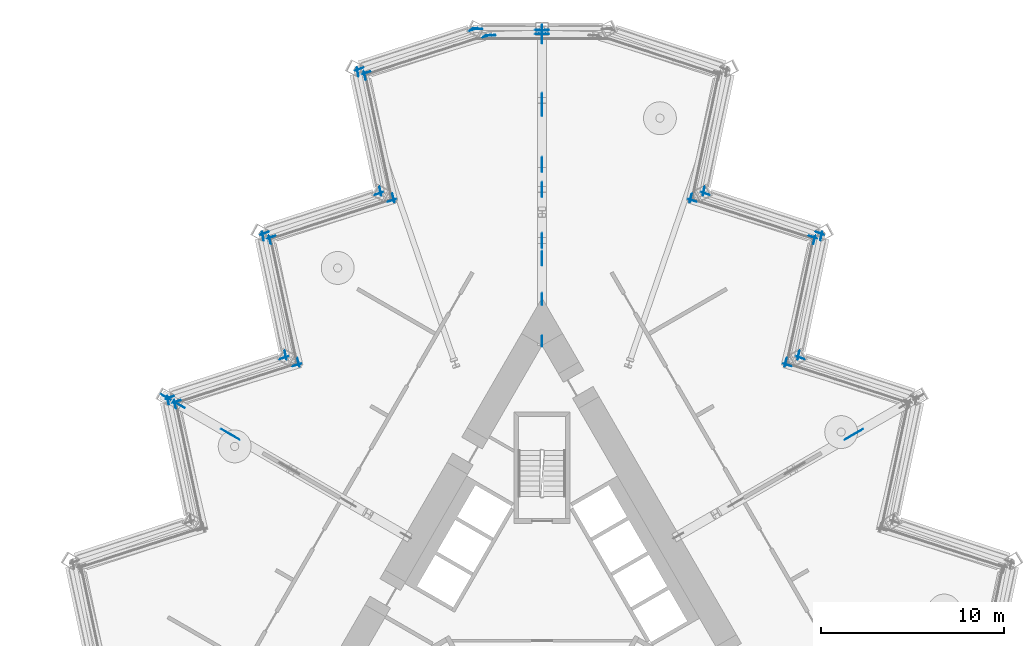
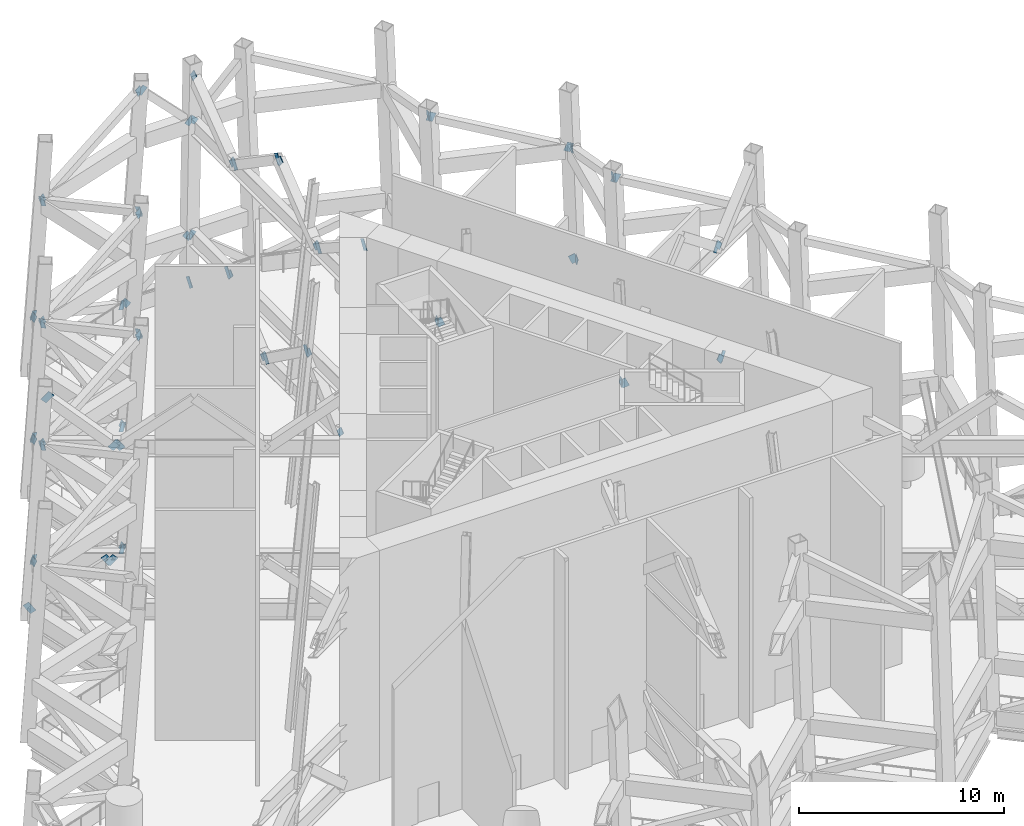
# One storey, part 14 of 19: 66 discrete accessories.
"""IFC4 building model written with IfcOpenShell, lengths in metres."""

from ifc_helpers import new_model, si_unit, direction, frame, origin, origin_2d, place, context, subcontext, project, spatial, rectangle, extrude, material, material_profile, profile_set, type_object, element, save


model = new_model("IFC4")

# Units and contexts
model_context = context("Model", 3, precision=1e-05, world=origin(), true_north=direction((0.0, 1.0)))
body_context = subcontext(model_context, "Body", "Model", "MODEL_VIEW")
ifc_project = project(units=[si_unit("LENGTHUNIT", "METRE"), si_unit("AREAUNIT", "SQUARE_METRE"), si_unit("VOLUMEUNIT", "CUBIC_METRE"), si_unit("PLANEANGLEUNIT", "RADIAN"), si_unit("MASSUNIT", "GRAM", prefix="KILO")], contexts=[model_context])

# Site, building, storey
site_placement = place(None, origin())
site = spatial("IfcSite", under=ifc_project, at=site_placement, CompositionType="ELEMENT")
building_placement = place(site_placement, origin())
building = spatial("IfcBuilding", under=site, at=building_placement, Name="Cormorant Prow Tower", CompositionType="ELEMENT")
storey_placement = place(building_placement, frame((0.0, 0.0, 287.800048828125)))
storey = spatial("IfcBuildingStorey", under=building, at=storey_placement, Name="L64", CompositionType="ELEMENT", Elevation=287.800048828125)

# Discrete accessories
ifc_material_1 = material(Name="Structural steel ASTM A500 Gr C", Category="steel")
ifc_material_profile_1 = material_profile(ifc_material_1, rectangle(XDim=0.031982421875, YDim=0.506103515625, at=origin_2d()), Name="Gusset plate 32x506")
ifc_profile_set_1 = profile_set([ifc_material_profile_1], Name="Structural steel ASTM A500 Gr C")
discrete_accessory_type_1 = type_object("IfcDiscreteAccessoryType", Name="Gusset plate 32x506", PredefinedType="BRACKET", material=ifc_profile_set_1)
discrete_accessory_1_placement = place(storey_placement, frame((14.281494140625, 13.99658203125, 0.5703125), z_axis=(-0.865212819558, 0.300731230024, -0.401207557456), x_axis=(-0.328313801581, -0.944568709884, 0.0)))
element("IfcDiscreteAccessory", 1, at=discrete_accessory_1_placement, inside=storey, type_object=discrete_accessory_type_1, Name="Gusset plate GP2 L64.ENE05.g0", PredefinedType="BRACKET", context=body_context, shape_type="SweptSolid", body=[
    extrude(rectangle(XDim=0.031982421875, YDim=0.506103515625, at=origin_2d()), origin(), (0.0, 0.0, 1.0), 0.349853515625),
])
for number, where, z_axis, x_axis, name in (
    (2, (13.578125, 13.60888671875, 13.133544921875), (-0.882048973575, 0.267752415694, 0.387683185224), (-0.290469235688, -0.956884331107, 0.0), "Gusset plate GP2 L64.ENE05.t1.g1"),
    (3, (14.073486328125, 14.35693359375, 0.570068359375), (-0.171534896082, -0.900209556265, -0.400248090857), (0.982325243976, -0.187182037194, 0.0), "Gusset plate GP2 L64.ENE06.g0"),
):
    element("IfcDiscreteAccessory", number, at=place(storey_placement, frame(where, z_axis=z_axis, x_axis=x_axis)), inside=storey, type_object=discrete_accessory_type_1, Name=name, PredefinedType="BRACKET", context=body_context, shape_type="SweptSolid", body=[
        extrude(rectangle(XDim=0.031982421875, YDim=0.506103515625, at=origin_2d()), origin(), (0.0, 0.0, 1.0), 0.35009765625),
    ])
discrete_accessory_2_placement = place(storey_placement, frame((15.256591796875, 20.55615234375, 3.329833984375), z_axis=(0.172319686839, 0.899969214668, 0.400451417999), x_axis=(-0.982158184024, 0.188056644538, 0.0)))
element("IfcDiscreteAccessory", 4, at=discrete_accessory_2_placement, inside=storey, type_object=discrete_accessory_type_1, Name="Gusset plate GP2 L64.ENE06.g1", PredefinedType="BRACKET", context=body_context, shape_type="SweptSolid", body=[
    extrude(rectangle(XDim=0.031982421875, YDim=0.506103515625, at=origin_2d()), origin(), (0.0, 0.0, 1.0), 0.349853515625),
])
for number, where, z_axis, x_axis, name in (
    (5, (14.870361328125, 20.3525390625, 10.366455078125), (0.209858339522, 0.897301272307, -0.388342508683), (-0.973723885404, 0.227731848878, 0.0), "Gusset plate GP2 L64.ENE06.t1.g0"),
    (6, (13.37646484375, 13.95849609375, 13.133544921875), (-0.209915131519, -0.897544100546, 0.387750209715), (0.973723885404, -0.227731848878, 0.0), "Gusset plate GP2 L64.ENE06.t1.g1"),
    (7, (9.093017578125, 22.983642578125, 0.5703125), (-0.865388080473, 0.30054976848, -0.40096546839), (-0.32807773145, -0.944650730231, 0.0), "Gusset plate GP2 L64.ENE07.g0"),
    (8, (15.048583984375, 20.916259765625, 3.32958984375), (0.865388080473, -0.30054976848, 0.40096546839), (0.32807773145, 0.944650730231, 0.0), "Gusset plate GP2 L64.ENE07.g1"),
    (9, (14.668701171875, 20.7021484375, 10.366455078125), (0.881655238327, -0.267844629365, -0.388514214991), (0.290679627319, 0.956820439927, 0.0), "Gusset plate GP2 L64.ENE07.t1.g0"),
    (10, (8.379638671875, 22.613037109375, 13.133544921875), (-0.882048973575, 0.267752415694, 0.387683185224), (-0.290469235688, -0.956884331107, 0.0), "Gusset plate GP2 L64.ENE07.t1.g1"),
):
    element("IfcDiscreteAccessory", number, at=place(storey_placement, frame(where, z_axis=z_axis, x_axis=x_axis)), inside=storey, type_object=discrete_accessory_type_1, Name=name, PredefinedType="BRACKET", context=body_context, shape_type="SweptSolid", body=[
        extrude(rectangle(XDim=0.031982421875, YDim=0.506103515625, at=origin_2d()), origin(), (0.0, 0.0, 1.0), 0.35009765625),
    ])
for number, where, z_axis, x_axis, name in (
    (11, (8.884765625, 23.34375, 0.570068359375), (-0.170965330748, -0.900184802713, -0.400547346323), (0.982438414807, -0.186587140797, 0.0), "Gusset plate GP2 L64.ENE08.g0"),
    (12, (8.177978515625, 22.96240234375, 13.13330078125), (-0.209989699514, -0.897165294269, 0.388585590131), (0.973684604187, -0.227899740171, 0.0), "Gusset plate GP2 L64.ENE08.t1.g1"),
):
    element("IfcDiscreteAccessory", number, at=place(storey_placement, frame(where, z_axis=z_axis, x_axis=x_axis)), inside=storey, type_object=discrete_accessory_type_1, Name=name, PredefinedType="BRACKET", context=body_context, shape_type="SweptSolid", body=[
        extrude(rectangle(XDim=0.031982421875, YDim=0.506103515625, at=origin_2d()), origin(), (0.0, 0.0, 1.0), 0.349853515625),
    ])
for number, where, z_axis, x_axis, name in (
    (13, (0.231689453125, 31.98095703125, 3.25927734375), (-0.772024721567, -0.018132468619, 0.635333804288), (0.023480426121, -0.999724296788, 0.0), "Gusset plate GP2 L64.N00.g1"),
    (14, (0.208984375, 31.7763671875, 10.465087890625), (-0.696776407375, 0.020226742556, -0.717003149931), (-0.029016805597, -0.999578923844, 0.0), "Gusset plate GP2 L64.N00.t1.g0"),
):
    element("IfcDiscreteAccessory", number, at=place(storey_placement, frame(where, z_axis=z_axis, x_axis=x_axis)), inside=storey, type_object=discrete_accessory_type_1, Name=name, PredefinedType="BRACKET", context=body_context, shape_type="SweptSolid", body=[
        extrude(rectangle(XDim=0.031982421875, YDim=0.506103515625, at=origin_2d()), origin(), (0.0, 0.0, 1.0), 0.35009765625),
    ])
discrete_accessory_3_placement = place(storey_placement, frame((-3.413330078125, 32.05517578125, 0.640625), z_axis=(-0.771742758692, 0.018142234834, -0.63567599744), x_axis=(-0.023501644443, -0.999723798211, 0.0)))
element("IfcDiscreteAccessory", 15, at=discrete_accessory_3_placement, inside=storey, type_object=discrete_accessory_type_1, Name="Gusset plate GP2 L64.N01.g0", PredefinedType="BRACKET", context=body_context, shape_type="SweptSolid", body=[
    extrude(rectangle(XDim=0.031982421875, YDim=0.506103515625, at=origin_2d()), origin(), (0.0, 0.0, 1.0), 0.349853515625),
])
for number, where, z_axis, x_axis, name in (
    (16, (-0.231689453125, 31.98095703125, 3.25927734375), (0.772024721567, -0.018132468619, 0.635333804288), (0.023480426121, 0.999724296788, 0.0), "Gusset plate GP2 L64.N01.g1"),
    (17, (-0.208984375, 31.7763671875, 10.465087890625), (0.696776407375, 0.020226742556, -0.717003149931), (-0.029016805597, 0.999578923844, 0.0), "Gusset plate GP2 L64.N01.t1.g0"),
    (18, (-2.70751953125, 31.703369140625, 13.034912109375), (-0.696776407375, -0.020226742556, 0.717003149931), (0.029016805597, -0.999578923844, 0.0), "Gusset plate GP2 L64.N01.t1.g1"),
    (19, (-3.904541015625, 31.970703125, 0.5703125), (0.865569297382, 0.299915227941, -0.401049432711), (-0.327398207747, 0.944886455382, 0.0), "Gusset plate GP2 L64.WNW00.g0"),
    (20, (-9.857666015625, 29.906982421875, 3.32958984375), (-0.865569297382, -0.299915227941, 0.401049432711), (0.327398207747, -0.944886455382, 0.0), "Gusset plate GP2 L64.WNW00.g1"),
    (21, (-9.47265625, 29.702392578125, 10.3662109375), (-0.881729026235, -0.268564616377, -0.387849160274), (0.291372416061, -0.956609698445, 0.0), "Gusset plate GP2 L64.WNW00.t1.g0"),
):
    element("IfcDiscreteAccessory", number, at=place(storey_placement, frame(where, z_axis=z_axis, x_axis=x_axis)), inside=storey, type_object=discrete_accessory_type_1, Name=name, PredefinedType="BRACKET", context=body_context, shape_type="SweptSolid", body=[
        extrude(rectangle(XDim=0.031982421875, YDim=0.506103515625, at=origin_2d()), origin(), (0.0, 0.0, 1.0), 0.35009765625),
    ])
for number, where, z_axis, x_axis, name in (
    (22, (-3.180908203125, 31.616943359375, 13.133544921875), (0.881894043549, 0.267917177787, 0.387921747004), (-0.290679627319, 0.956820439927, 0.0), "Gusset plate GP2 L64.WNW00.t1.g1"),
    (23, (-8.884765625, 23.34375, 0.570068359375), (0.170965330748, -0.900184802713, -0.400547346323), (0.982438414807, 0.186587140797, 0.0), "Gusset plate GP2 L64.WNW01.g0"),
):
    element("IfcDiscreteAccessory", number, at=place(storey_placement, frame(where, z_axis=z_axis, x_axis=x_axis)), inside=storey, type_object=discrete_accessory_type_1, Name=name, PredefinedType="BRACKET", context=body_context, shape_type="SweptSolid", body=[
        extrude(rectangle(XDim=0.031982421875, YDim=0.506103515625, at=origin_2d()), origin(), (0.0, 0.0, 1.0), 0.349853515625),
    ])
discrete_accessory_4_placement = place(storey_placement, frame((-10.06591796875, 29.546875, 3.329833984375), z_axis=(-0.171534896082, 0.900209556265, 0.400248090857), x_axis=(-0.982325243976, -0.187182037194, 0.0)))
element("IfcDiscreteAccessory", 24, at=discrete_accessory_4_placement, inside=storey, type_object=discrete_accessory_type_1, Name="Gusset plate GP2 L64.WNW01.g1", PredefinedType="BRACKET", context=body_context, shape_type="SweptSolid", body=[
    extrude(rectangle(XDim=0.031982421875, YDim=0.506103515625, at=origin_2d()), origin(), (0.0, 0.0, 1.0), 0.35009765625),
])
for number, where, z_axis, x_axis, name in (
    (25, (-9.674072265625, 29.352783203125, 10.366455078125), (-0.209989699514, 0.897165294269, -0.388585590131), (-0.973684604187, -0.227899740171, 0.0), "Gusset plate GP2 L64.WNW01.t1.g0"),
    (26, (-8.177978515625, 22.96240234375, 13.13330078125), (0.209989699514, -0.897165294269, 0.388585590131), (0.973684604187, 0.227899740171, 0.0), "Gusset plate GP2 L64.WNW01.t1.g1"),
):
    element("IfcDiscreteAccessory", number, at=place(storey_placement, frame(where, z_axis=z_axis, x_axis=x_axis)), inside=storey, type_object=discrete_accessory_type_1, Name=name, PredefinedType="BRACKET", context=body_context, shape_type="SweptSolid", body=[
        extrude(rectangle(XDim=0.031982421875, YDim=0.506103515625, at=origin_2d()), origin(), (0.0, 0.0, 1.0), 0.349853515625),
    ])
for number, where, z_axis, x_axis, name in (
    (27, (-9.093017578125, 22.983642578125, 0.5703125), (0.865388080473, 0.30054976848, -0.40096546839), (-0.32807773145, 0.944650730231, 0.0), "Gusset plate GP2 L64.WNW02.g0"),
    (28, (-15.048583984375, 20.916259765625, 3.32958984375), (-0.865388080473, -0.30054976848, 0.40096546839), (0.32807773145, -0.944650730231, 0.0), "Gusset plate GP2 L64.WNW02.g1"),
    (29, (-14.668701171875, 20.7021484375, 10.366455078125), (-0.881655238327, -0.267844629365, -0.388514214991), (0.290679627319, -0.956820439927, 0.0), "Gusset plate GP2 L64.WNW02.t1.g0"),
    (30, (-8.379638671875, 22.613037109375, 13.133544921875), (0.882048973575, 0.267752415694, 0.387683185224), (-0.290469235688, 0.956884331107, 0.0), "Gusset plate GP2 L64.WNW02.t1.g1"),
    (31, (-14.073486328125, 14.35693359375, 0.570068359375), (0.171534896082, -0.900209556265, -0.400248090857), (0.982325243976, 0.187182037194, 0.0), "Gusset plate GP2 L64.WNW03.g0"),
):
    element("IfcDiscreteAccessory", number, at=place(storey_placement, frame(where, z_axis=z_axis, x_axis=x_axis)), inside=storey, type_object=discrete_accessory_type_1, Name=name, PredefinedType="BRACKET", context=body_context, shape_type="SweptSolid", body=[
        extrude(rectangle(XDim=0.031982421875, YDim=0.506103515625, at=origin_2d()), origin(), (0.0, 0.0, 1.0), 0.35009765625),
    ])
discrete_accessory_5_placement = place(storey_placement, frame((-15.256591796875, 20.55615234375, 3.329833984375), z_axis=(-0.172319686839, 0.899969214668, 0.400451417999), x_axis=(-0.982158184024, -0.188056644538, 0.0)))
element("IfcDiscreteAccessory", 32, at=discrete_accessory_5_placement, inside=storey, type_object=discrete_accessory_type_1, Name="Gusset plate GP2 L64.WNW03.g1", PredefinedType="BRACKET", context=body_context, shape_type="SweptSolid", body=[
    extrude(rectangle(XDim=0.031982421875, YDim=0.506103515625, at=origin_2d()), origin(), (0.0, 0.0, 1.0), 0.349853515625),
])
for number, where, z_axis, x_axis, name in (
    (33, (-14.870361328125, 20.3525390625, 10.366455078125), (-0.209858339522, 0.897301272307, -0.388342508683), (-0.973723885404, -0.227731848878, 0.0), "Gusset plate GP2 L64.WNW03.t1.g0"),
    (34, (-13.37646484375, 13.95849609375, 13.133544921875), (0.209915131519, -0.897544100546, 0.387750209715), (0.973723885404, 0.227731848878, 0.0), "Gusset plate GP2 L64.WNW03.t1.g1"),
):
    element("IfcDiscreteAccessory", number, at=place(storey_placement, frame(where, z_axis=z_axis, x_axis=x_axis)), inside=storey, type_object=discrete_accessory_type_1, Name=name, PredefinedType="BRACKET", context=body_context, shape_type="SweptSolid", body=[
        extrude(rectangle(XDim=0.031982421875, YDim=0.506103515625, at=origin_2d()), origin(), (0.0, 0.0, 1.0), 0.35009765625),
    ])
discrete_accessory_6_placement = place(storey_placement, frame((-14.281494140625, 13.99658203125, 0.5703125), z_axis=(0.865212819558, 0.300731230024, -0.401207557456), x_axis=(-0.328313801581, 0.944568709884, 0.0)))
element("IfcDiscreteAccessory", 35, at=discrete_accessory_6_placement, inside=storey, type_object=discrete_accessory_type_1, Name="Gusset plate GP2 L64.WNW04.g0", PredefinedType="BRACKET", context=body_context, shape_type="SweptSolid", body=[
    extrude(rectangle(XDim=0.031982421875, YDim=0.506103515625, at=origin_2d()), origin(), (0.0, 0.0, 1.0), 0.349853515625),
])
discrete_accessory_7_placement = place(storey_placement, frame((-20.239501953125, 11.925537109375, 3.32958984375), z_axis=(-0.865206556787, -0.301183910179, 0.400881361928), x_axis=(0.328756746245, -0.944414634468, 0.0)))
element("IfcDiscreteAccessory", 36, at=discrete_accessory_7_placement, inside=storey, type_object=discrete_accessory_type_1, Name="Gusset plate GP2 L64.WNW04.g1", PredefinedType="BRACKET", context=body_context, shape_type="SweptSolid", body=[
    extrude(rectangle(XDim=0.031982421875, YDim=0.506103515625, at=origin_2d()), origin(), (0.0, 0.0, 1.0), 0.35009765625),
])
discrete_accessory_8_placement = place(storey_placement, frame((-19.864990234375, 11.701904296875, 10.366455078125), z_axis=(-0.881819785023, -0.267196976, -0.388586724887), x_axis=(0.289986381107, -0.957030772114, 0.0)))
element("IfcDiscreteAccessory", 37, at=discrete_accessory_8_placement, inside=storey, type_object=discrete_accessory_type_1, Name="Gusset plate GP2 L64.WNW04.t1.g0", PredefinedType="BRACKET", context=body_context, shape_type="SweptSolid", body=[
    extrude(rectangle(XDim=0.031982421875, YDim=0.506103515625, at=origin_2d()), origin(), (0.0, 0.0, 1.0), 0.349853515625),
])
for number, where, z_axis, x_axis, name in (
    (38, (-13.578125, 13.60888671875, 13.133544921875), (0.882048973575, 0.267752415694, 0.387683185224), (-0.290469235688, 0.956884331107, 0.0), "Gusset plate GP2 L64.WNW04.t1.g1"),
    (39, (-20.447509765625, 11.565185546875, 3.32958984375), (-0.172271523265, 0.899717672114, 0.401036946873), (-0.982158184024, -0.188056644538, 0.0), "Gusset plate GP2 L64.WNW05.g1"),
):
    element("IfcDiscreteAccessory", number, at=place(storey_placement, frame(where, z_axis=z_axis, x_axis=x_axis)), inside=storey, type_object=discrete_accessory_type_1, Name=name, PredefinedType="BRACKET", context=body_context, shape_type="SweptSolid", body=[
        extrude(rectangle(XDim=0.031982421875, YDim=0.506103515625, at=origin_2d()), origin(), (0.0, 0.0, 1.0), 0.35009765625),
    ])
discrete_accessory_9_placement = place(storey_placement, frame((-20.066650390625, 11.3525390625, 10.366455078125), z_axis=(-0.209322675814, 0.897296536989, -0.388642434761), x_axis=(-0.973852380129, -0.2271817372, 0.0)))
element("IfcDiscreteAccessory", 40, at=discrete_accessory_9_placement, inside=storey, type_object=discrete_accessory_type_1, Name="Gusset plate GP2 L64.WNW05.t1.g0", PredefinedType="BRACKET", context=body_context, shape_type="SweptSolid", body=[
    extrude(rectangle(XDim=0.031982421875, YDim=0.506103515625, at=origin_2d()), origin(), (0.0, 0.0, 1.0), 0.349853515625),
])
ifc_material_2 = material(Name="Structural steel ASTM A500 Gr C", Category="steel")
ifc_material_profile_2 = material_profile(ifc_material_2, rectangle(XDim=0.031982421875, YDim=0.60791015625, at=origin_2d()), Name="Gusset plate 32x608")
ifc_profile_set_2 = profile_set([ifc_material_profile_2], Name="Structural steel ASTM A500 Gr C")
discrete_accessory_type_2 = type_object("IfcDiscreteAccessoryType", Name="Gusset plate 32x608", PredefinedType="BRACKET", material=ifc_profile_set_2)
discrete_accessory_10_placement = place(storey_placement, frame((0.0, 17.392333984375, 0.7021484375), z_axis=(0.0, -0.739119191108, -0.673574659066), x_axis=(1.0, 0.0, 0.0)))
element("IfcDiscreteAccessory", 41, at=discrete_accessory_10_placement, inside=storey, type_object=discrete_accessory_type_2, Name="Gusset plate GP1 L64.01.1.g0", PredefinedType="BRACKET", context=body_context, shape_type="SweptSolid", body=[
    extrude(rectangle(XDim=0.031982421875, YDim=0.60791015625, at=origin_2d()), origin(), (0.0, 0.0, 1.0), 0.35009765625),
])
for number, where, z_axis, x_axis, name in (
    (42, (0.0, 20.241943359375, 3.298095703125), (0.0, 0.739150005097, 0.67354084506), (-1.0, 0.0, 0.0), "Gusset plate GP1 L64.01.1.g1"),
    (43, (0.0, 20.706787109375, 3.324462890625), (0.0, -0.810752815378, 0.58538865069), (1.0, 0.0, 0.0), "Gusset plate GP1 L64.01.2.g0"),
    (44, (0.0, 24.378662109375, 0.675537109375), (0.0, 0.811322578791, -0.584598728312), (-1.0, 0.0, 0.0), "Gusset plate GP1 L64.01.2.g1"),
):
    element("IfcDiscreteAccessory", number, at=place(storey_placement, frame(where, z_axis=z_axis, x_axis=x_axis)), inside=storey, type_object=discrete_accessory_type_2, Name=name, PredefinedType="BRACKET", context=body_context, shape_type="SweptSolid", body=[
        extrude(rectangle(XDim=0.031982421875, YDim=0.60791015625, at=origin_2d()), origin(), (0.0, 0.0, 1.0), 0.349853515625),
    ])
for number, where, z_axis, x_axis, name in (
    (45, (0.0, 24.850341796875, 0.69482421875), (0.0, -0.76102638205, -0.64872093062), (1.0, 0.0, 0.0), "Gusset plate GP1 L64.01.3.g0"),
    (46, (0.0, 27.91259765625, 3.305419921875), (0.0, 0.76102638205, 0.64872093062), (-1.0, 0.0, 0.0), "Gusset plate GP1 L64.01.3.g1"),
    (47, (0.0, 28.37939453125, 3.318115234375), (0.0, -0.794951246045, 0.60667331935), (1.0, 0.0, 0.0), "Gusset plate GP1 L64.01.4.g0"),
    (48, (0.0, 31.8349609375, 0.68212890625), (0.0, 0.794951246045, -0.60667331935), (-1.0, 0.0, 0.0), "Gusset plate GP1 L64.01.4.g1"),
    (49, (0.0, 15.113037109375, 13.036865234375), (0.0, -0.839588865587, 0.54322236403), (1.0, 0.0, 0.0), "Gusset plate GP1 L64.01.1.t1.g0"),
    (50, (0.0, 19.24560546875, 10.36279296875), (0.0, 0.839588865587, -0.54322236403), (-1.0, 0.0, 0.0), "Gusset plate GP1 L64.01.1.t1.g1"),
):
    element("IfcDiscreteAccessory", number, at=place(storey_placement, frame(where, z_axis=z_axis, x_axis=x_axis)), inside=storey, type_object=discrete_accessory_type_2, Name=name, PredefinedType="BRACKET", context=body_context, shape_type="SweptSolid", body=[
        extrude(rectangle(XDim=0.031982421875, YDim=0.60791015625, at=origin_2d()), origin(), (0.0, 0.0, 1.0), 0.35009765625),
    ])
for number, where, z_axis, x_axis, name in (
    (51, (0.0, 19.732177734375, 10.386474609375), (0.0, -0.782770969893, -0.622309897633), (1.0, 0.0, 0.0), "Gusset plate GP1 L64.01.2.t1.g0"),
    (52, (0.0, 23.033935546875, 13.012939453125), (0.0, 0.782160497556, 0.623077006527), (-1.0, 0.0, 0.0), "Gusset plate GP1 L64.01.2.t1.g1"),
):
    element("IfcDiscreteAccessory", number, at=place(storey_placement, frame(where, z_axis=z_axis, x_axis=x_axis)), inside=storey, type_object=discrete_accessory_type_2, Name=name, PredefinedType="BRACKET", context=body_context, shape_type="SweptSolid", body=[
        extrude(rectangle(XDim=0.031982421875, YDim=0.60791015625, at=origin_2d()), origin(), (0.0, 0.0, 1.0), 0.349853515625),
    ])
discrete_accessory_11_placement = place(storey_placement, frame((0.0, 23.5166015625, 13.031005859375), z_axis=(0.0, -0.82653710834, 0.562882233275), x_axis=(1.0, 0.0, 0.0)))
element("IfcDiscreteAccessory", 53, at=discrete_accessory_11_placement, inside=storey, type_object=discrete_accessory_type_2, Name="Gusset plate GP1 L64.01.3.t1.g0", PredefinedType="BRACKET", context=body_context, shape_type="SweptSolid", body=[
    extrude(rectangle(XDim=0.031982421875, YDim=0.60791015625, at=origin_2d()), origin(), (0.0, 0.0, 1.0), 0.35009765625),
])
for number, where, z_axis, x_axis, name in (
    (54, (0.0, 27.43115234375, 10.368408203125), (0.0, 0.826861605154, -0.562405446206), (-1.0, 0.0, 0.0), "Gusset plate GP1 L64.01.3.t1.g1"),
    (55, (0.0, 27.9189453125, 10.3798828125), (0.0, -0.799497417616, -0.6006695258), (1.0, 0.0, 0.0), "Gusset plate GP1 L64.01.4.t1.g0"),
):
    element("IfcDiscreteAccessory", number, at=place(storey_placement, frame(where, z_axis=z_axis, x_axis=x_axis)), inside=storey, type_object=discrete_accessory_type_2, Name=name, PredefinedType="BRACKET", context=body_context, shape_type="SweptSolid", body=[
        extrude(rectangle(XDim=0.031982421875, YDim=0.60791015625, at=origin_2d()), origin(), (0.0, 0.0, 1.0), 0.349853515625),
    ])
for number, where, z_axis, x_axis, name in (
    (56, (0.0, 31.43603515625, 13.019775390625), (0.0, 0.800083697571, 0.599888387019), (-1.0, 0.0, 0.0), "Gusset plate GP1 L64.01.4.t1.g1"),
    (57, (-17.021240234375, 9.8271484375, 3.310791015625), (-0.671683032002, 0.387804533534, 0.631228602245), (-0.500007885066, -0.866020851292, 0.0), "Gusset plate GP1 L64.03.3.g1"),
):
    element("IfcDiscreteAccessory", number, at=place(storey_placement, frame(where, z_axis=z_axis, x_axis=x_axis)), inside=storey, type_object=discrete_accessory_type_2, Name=name, PredefinedType="BRACKET", context=body_context, shape_type="SweptSolid", body=[
        extrude(rectangle(XDim=0.031982421875, YDim=0.60791015625, at=origin_2d()), origin(), (0.0, 0.0, 1.0), 0.35009765625),
    ])
for number, where, z_axis, x_axis, name in (
    (58, (-17.430419921875, 10.0634765625, 3.320068359375), (0.692869357238, -0.399812831518, 0.600068124094), (0.499797962495, 0.866142018774, 0.0), "Gusset plate GP1 L64.03.4.g0"),
    (59, (-20.478759765625, 11.823486328125, 0.68017578125), (-0.692869357238, 0.399812831518, -0.600068124094), (-0.499797962495, -0.866142018774, 0.0), "Gusset plate GP1 L64.03.4.g1"),
):
    element("IfcDiscreteAccessory", number, at=place(storey_placement, frame(where, z_axis=z_axis, x_axis=x_axis)), inside=storey, type_object=discrete_accessory_type_2, Name=name, PredefinedType="BRACKET", context=body_context, shape_type="SweptSolid", body=[
        extrude(rectangle(XDim=0.031982421875, YDim=0.60791015625, at=origin_2d()), origin(), (0.0, 0.0, 1.0), 0.349853515625),
    ])
for number, where, z_axis, x_axis, name in (
    (60, (-16.718017578125, 9.652099609375, 10.38623046875), (-0.678505450238, 0.391901400857, -0.621324107052), (-0.500158975434, -0.865933599817, 0.0), "Gusset plate GP1 L64.03.3.t1.g1"),
    (61, (-17.1181640625, 9.883056640625, 10.39599609375), (0.654975292126, -0.378058155839, -0.654277767854), (0.499908752739, 0.866078079006, 0.0), "Gusset plate GP1 L64.03.4.t1.g0"),
):
    element("IfcDiscreteAccessory", number, at=place(storey_placement, frame(where, z_axis=z_axis, x_axis=x_axis)), inside=storey, type_object=discrete_accessory_type_2, Name=name, PredefinedType="BRACKET", context=body_context, shape_type="SweptSolid", body=[
        extrude(rectangle(XDim=0.031982421875, YDim=0.60791015625, at=origin_2d()), origin(), (0.0, 0.0, 1.0), 0.35009765625),
    ])
discrete_accessory_12_placement = place(storey_placement, frame((-19.72900390625, 11.390625, 13.003662109375), z_axis=(-0.655274251456, 0.378230718093, 0.653878566149), x_axis=(-0.499908752739, -0.866078079006, 0.0)))
element("IfcDiscreteAccessory", 62, at=discrete_accessory_12_placement, inside=storey, type_object=discrete_accessory_type_2, Name="Gusset plate GP1 L64.03.4.t1.g1", PredefinedType="BRACKET", context=body_context, shape_type="SweptSolid", body=[
    extrude(rectangle(XDim=0.031982421875, YDim=0.60791015625, at=origin_2d()), origin(), (0.0, 0.0, 1.0), 0.349853515625),
])
discrete_accessory_13_placement = place(storey_placement, frame((17.021240234375, 9.8271484375, 3.310791015625), z_axis=(0.671683032002, 0.387804533534, 0.631228602245), x_axis=(-0.500007885066, 0.866020851292, 0.0)))
element("IfcDiscreteAccessory", 63, at=discrete_accessory_13_placement, inside=storey, type_object=discrete_accessory_type_2, Name="Gusset plate GP1 L64.11.3.g1", PredefinedType="BRACKET", context=body_context, shape_type="SweptSolid", body=[
    extrude(rectangle(XDim=0.031982421875, YDim=0.60791015625, at=origin_2d()), origin(), (0.0, 0.0, 1.0), 0.35009765625),
])
discrete_accessory_14_placement = place(storey_placement, frame((17.430419921875, 10.0634765625, 3.320068359375), z_axis=(-0.692869357238, -0.399812831518, 0.600068124094), x_axis=(0.499797962495, -0.866142018774, 0.0)))
element("IfcDiscreteAccessory", 64, at=discrete_accessory_14_placement, inside=storey, type_object=discrete_accessory_type_2, Name="Gusset plate GP1 L64.11.4.g0", PredefinedType="BRACKET", context=body_context, shape_type="SweptSolid", body=[
    extrude(rectangle(XDim=0.031982421875, YDim=0.60791015625, at=origin_2d()), origin(), (0.0, 0.0, 1.0), 0.349853515625),
])
for number, where, z_axis, x_axis, name in (
    (65, (16.718017578125, 9.652099609375, 10.38623046875), (0.678505450238, 0.391901400857, -0.621324107052), (-0.500158975434, 0.865933599817, 0.0), "Gusset plate GP1 L64.11.3.t1.g1"),
    (66, (17.1181640625, 9.883056640625, 10.39599609375), (-0.654975292126, -0.378058155839, -0.654277767854), (0.499908752739, -0.866078079006, 0.0), "Gusset plate GP1 L64.11.4.t1.g0"),
):
    element("IfcDiscreteAccessory", number, at=place(storey_placement, frame(where, z_axis=z_axis, x_axis=x_axis)), inside=storey, type_object=discrete_accessory_type_2, Name=name, PredefinedType="BRACKET", context=body_context, shape_type="SweptSolid", body=[
        extrude(rectangle(XDim=0.031982421875, YDim=0.60791015625, at=origin_2d()), origin(), (0.0, 0.0, 1.0), 0.35009765625),
    ])

save(model, "model.ifc")
